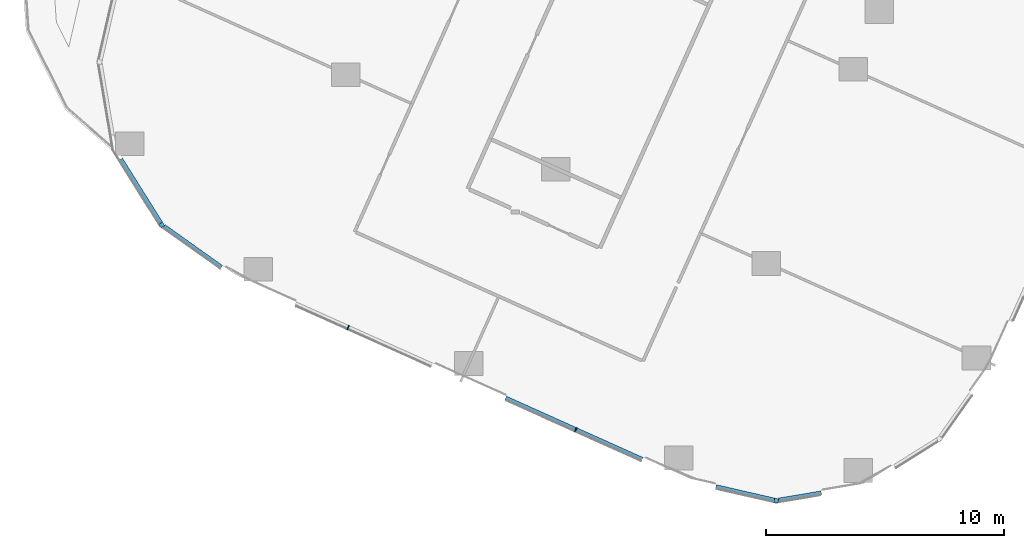
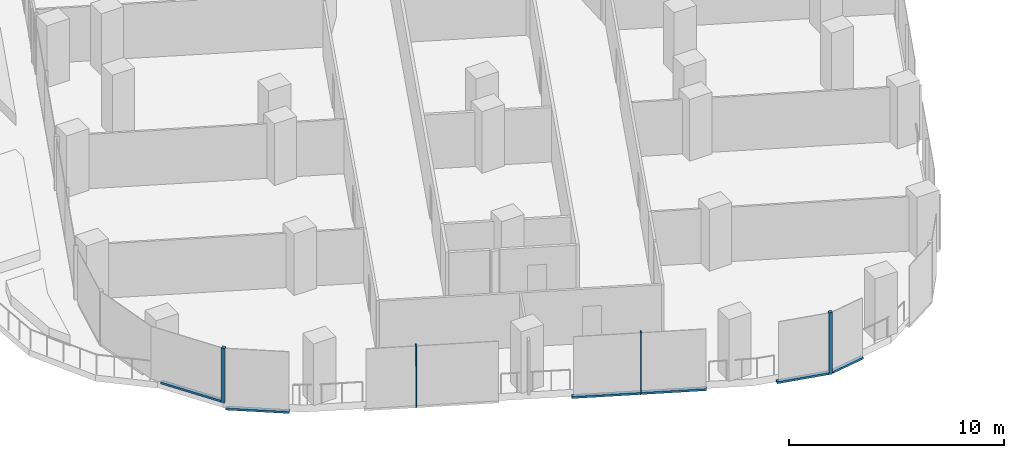
# One storey, part 2 of 32: 9 members, 5 elements without a shape of their own.
"""IFC4 building model written with IfcOpenShell, lengths in metres."""

from ifc_helpers import new_model, si_unit, direction, frame, origin, origin_2d, place, context, subcontext, project, spatial, rectangle, extrude, material, material_profile, profile_set, type_object, element, aggregate, save


model = new_model("IFC4")

# Units and contexts
model_context = context("Model", 3, precision=1e-05, world=origin(), true_north=direction((0.0, 1.0)))
body_context = subcontext(model_context, "Body", "Model", "MODEL_VIEW")
ifc_project = project(units=[si_unit("LENGTHUNIT", "METRE"), si_unit("AREAUNIT", "SQUARE_METRE"), si_unit("VOLUMEUNIT", "CUBIC_METRE"), si_unit("PLANEANGLEUNIT", "RADIAN"), si_unit("MASSUNIT", "GRAM", prefix="KILO")], contexts=[model_context])

# Site, building, storey
site_placement = place(None, origin())
site = spatial("IfcSite", under=ifc_project, at=site_placement, CompositionType="ELEMENT")
building_placement = place(site_placement, origin())
building = spatial("IfcBuilding", under=site, at=building_placement, Name="Orlundy Tower", CompositionType="ELEMENT")
storey_placement = place(building_placement, frame((0.0, 0.0, 123.699951171875)))
storey = spatial("IfcBuildingStorey", under=building, at=storey_placement, Name="L31", CompositionType="ELEMENT", Elevation=123.699951171875)

# Curtain wall, member
ifc_material_1 = material(Name="Aluminium bronze anodised", Category="aluminium")
curtain_wall_type = type_object("IfcCurtainWallType", Name="CW1 wall", PredefinedType="NOTDEFINED", material=ifc_material_1)
curtain_wall_1_placement = place(storey_placement, origin())
curtain_wall_1 = element("IfcCurtainWall", 1, at=curtain_wall_1_placement, inside=storey, type_object=curtain_wall_type, Name="CW1 run 022", PredefinedType="NOTDEFINED")
ifc_material_2 = material(Name="Aluminium bronze anodised", Category="aluminium")
ifc_material_profile_1 = material_profile(ifc_material_2, rectangle(XDim=0.179931640625, YDim=0.179931640625, at=origin_2d()), Name="CW1 corner post 180x180")
ifc_profile_set_1 = profile_set([ifc_material_profile_1], Name="Aluminium bronze anodised")
member_type_1 = type_object("IfcMemberType", Name="CW1 corner post 180x180", PredefinedType="MULLION", material=ifc_profile_set_1)
member_1_placement = place(storey_placement, frame((-11.57861328125, -60.416748046875, -0.39990234375), z_axis=(0.0, 0.0, 1.0), x_axis=(-0.223696612955, -0.974658825104, 0.0)))
member_1 = element("IfcMember", 2, at=member_1_placement, type_object=member_type_1, Name="CW1 mullion 60", PredefinedType="MULLION", context=body_context, shape_type="SweptSolid", body=[
    extrude(rectangle(XDim=0.179931640625, YDim=0.179931640625, at=origin_2d()), origin(), (0.0, 0.0, 1.0), 3.5),
])

curtain_wall_2_placement = place(storey_placement, origin())
curtain_wall_2 = element("IfcCurtainWall", 3, at=curtain_wall_2_placement, inside=storey, type_object=curtain_wall_type, Name="CW1 run 025", PredefinedType="NOTDEFINED")
member_2_placement = place(storey_placement, frame((-37.435791015625, -48.81396484375, 0.0), z_axis=(0.0, 0.0, 1.0), x_axis=(-0.847285276564, -0.531138080086, 0.0)))
member_2 = element("IfcMember", 4, at=member_2_placement, type_object=member_type_1, Name="CW1 mullion 66", PredefinedType="MULLION", context=body_context, shape_type="SweptSolid", body=[
    extrude(rectangle(XDim=0.179931640625, YDim=0.179931640625, at=origin_2d()), origin(), (0.0, 0.0, 1.0), 3.10009765625),
])

# Curtain wall, members
curtain_wall_3_placement = place(storey_placement, origin())
curtain_wall_3 = element("IfcCurtainWall", 5, at=curtain_wall_3_placement, inside=storey, type_object=curtain_wall_type, Name="CW1 run 023", PredefinedType="NOTDEFINED")
ifc_material_3 = material(Name="Aluminium bronze anodised", Category="aluminium")
ifc_material_profile_2 = material_profile(ifc_material_3, rectangle(XDim=0.179931640625, YDim=0.050048828125, at=origin_2d()), Name="CW1 mullion 50x180")
ifc_profile_set_2 = profile_set([ifc_material_profile_2], Name="Aluminium bronze anodised")
member_type_2 = type_object("IfcMemberType", Name="CW1 mullion 50x180", PredefinedType="MULLION", material=ifc_profile_set_2)
member_3_placement = place(storey_placement, frame((-20.014892578125, -57.428955078125, -0.39990234375), z_axis=(0.0, 0.0, 1.0), x_axis=(-0.409374450241, -0.912366461182, 0.0)))
member_3 = element("IfcMember", 6, at=member_3_placement, type_object=member_type_2, Name="CW1 mullion 62", PredefinedType="MULLION", context=body_context, shape_type="SweptSolid", body=[
    extrude(rectangle(XDim=0.179931640625, YDim=0.050048828125, at=origin_2d()), origin(), (0.0, 0.0, 1.0), 3.5),
])
member_4_placement = place(storey_placement, frame((-29.5947265625, -53.13037109375, -0.39990234375), z_axis=(0.0, 0.0, 1.0), x_axis=(-0.409374450241, -0.912366461182, 0.0)))
member_4 = element("IfcMember", 7, at=member_4_placement, type_object=member_type_2, Name="CW1 mullion 64", PredefinedType="MULLION", context=body_context, shape_type="SweptSolid", body=[
    extrude(rectangle(XDim=0.179931640625, YDim=0.050048828125, at=origin_2d()), origin(), (0.0, 0.0, 1.0), 3.5),
])

# Curtain wall, member
curtain_wall_4_placement = place(storey_placement, origin())
curtain_wall_4 = element("IfcCurtainWall", 8, at=curtain_wall_4_placement, inside=storey, type_object=curtain_wall_type, Name="CW1 run 021", PredefinedType="NOTDEFINED")
ifc_material_4 = material(Name="Aluminium bronze anodised", Category="aluminium")
ifc_material_profile_3 = material_profile(ifc_material_4, rectangle(XDim=0.179931640625, YDim=0.1201171875, at=origin_2d()), Name="CW1 transom 180x120")
ifc_profile_set_3 = profile_set([ifc_material_profile_3], Name="Aluminium bronze anodised")
member_type_3 = type_object("IfcMemberType", Name="CW1 transom 180x120", PredefinedType="USERDEFINED", material=ifc_profile_set_3)
member_5_placement = place(storey_placement, frame((-9.6826171875, -60.0966796875, -0.33984375), z_axis=(-0.986063022047, -0.166372222898, 0.0), x_axis=(0.166372222898, -0.986063022047, 0.0)))
member_5 = element("IfcMember", 9, at=member_5_placement, type_object=member_type_3, Name="CW1 transom", ObjectType="TRANSOM", PredefinedType="USERDEFINED", context=body_context, shape_type="SweptSolid", body=[
    extrude(rectangle(XDim=0.179931640625, YDim=0.1201171875, at=origin_2d()), origin(), (0.0, 0.0, 1.0), 1.825439453125),
])
aggregate(curtain_wall_4, [member_5])

# Member
member_6_placement = place(storey_placement, frame((-11.66650390625, -60.396484375, -0.33984375), z_axis=(-0.974664987168, 0.223669762797, 0.0), x_axis=(-0.223669762797, -0.974664987168, 0.0)))
member_6 = element("IfcMember", 10, at=member_6_placement, type_object=member_type_3, Name="CW1 transom", ObjectType="TRANSOM", PredefinedType="USERDEFINED", context=body_context, shape_type="SweptSolid", body=[
    extrude(rectangle(XDim=0.179931640625, YDim=0.1201171875, at=origin_2d()), origin(), (0.0, 0.0, 1.0), 2.51806640625),
])

aggregate(curtain_wall_1, [member_1, member_6])

member_7_placement = place(storey_placement, frame((-17.22509765625, -58.6806640625, -0.33984375), z_axis=(-0.912363535983, 0.409380969524, 0.0), x_axis=(-0.409380969524, -0.912363535983, 0.0)))
member_7 = element("IfcMember", 11, at=member_7_placement, type_object=member_type_3, Name="CW1 transom", ObjectType="TRANSOM", PredefinedType="USERDEFINED", context=body_context, shape_type="SweptSolid", body=[
    extrude(rectangle(XDim=0.179931640625, YDim=0.1201171875, at=origin_2d()), origin(), (0.0, 0.0, 1.0), 6.29638671875),
])

aggregate(curtain_wall_3, [member_3, member_4, member_7])

# Curtain wall, member
curtain_wall_5_placement = place(storey_placement, origin())
curtain_wall_5 = element("IfcCurtainWall", 12, at=curtain_wall_5_placement, inside=storey, type_object=curtain_wall_type, Name="CW1 run 024", PredefinedType="NOTDEFINED")
member_8_placement = place(storey_placement, frame((-34.928466796875, -50.5966796875, -0.33984375), z_axis=(-0.814994026649, 0.579469357711, 0.0), x_axis=(-0.579469357711, -0.814994026649, 0.0)))
member_8 = element("IfcMember", 13, at=member_8_placement, type_object=member_type_3, Name="CW1 transom", ObjectType="TRANSOM", PredefinedType="USERDEFINED", context=body_context, shape_type="SweptSolid", body=[
    extrude(rectangle(XDim=0.179931640625, YDim=0.1201171875, at=origin_2d()), origin(), (0.0, 0.0, 1.0), 2.979248046875),
])
aggregate(curtain_wall_5, [member_8])

# Member
member_9_placement = place(storey_placement, frame((-37.483642578125, -48.73779296875, 0.06005859375), z_axis=(-0.531097295616, 0.847310841775, 0.0), x_axis=(-0.847310841775, -0.531097295616, 0.0)))
member_9 = element("IfcMember", 14, at=member_9_placement, type_object=member_type_3, Name="CW1 transom", ObjectType="TRANSOM", PredefinedType="USERDEFINED", context=body_context, shape_type="SweptSolid", body=[
    extrude(rectangle(XDim=0.179931640625, YDim=0.1201171875, at=origin_2d()), origin(), (0.0, 0.0, 1.0), 3.175537109375),
])

aggregate(curtain_wall_2, [member_2, member_9])

save(model, "model.ifc")
